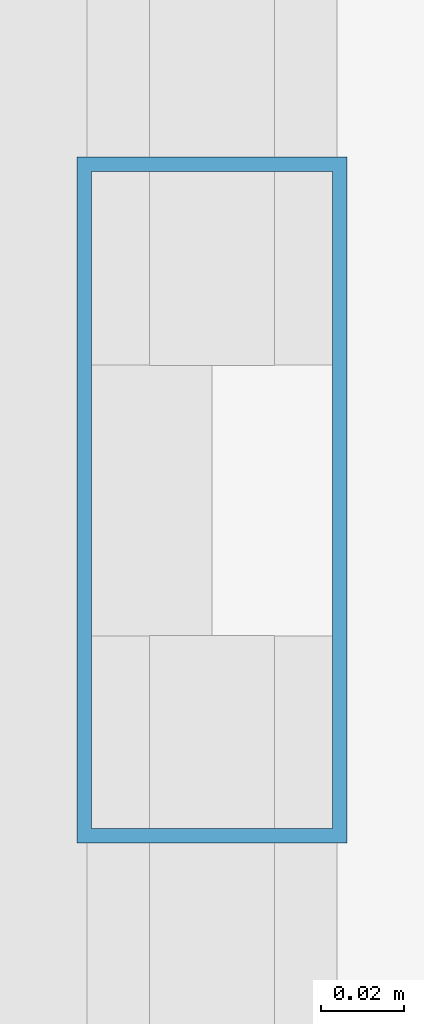
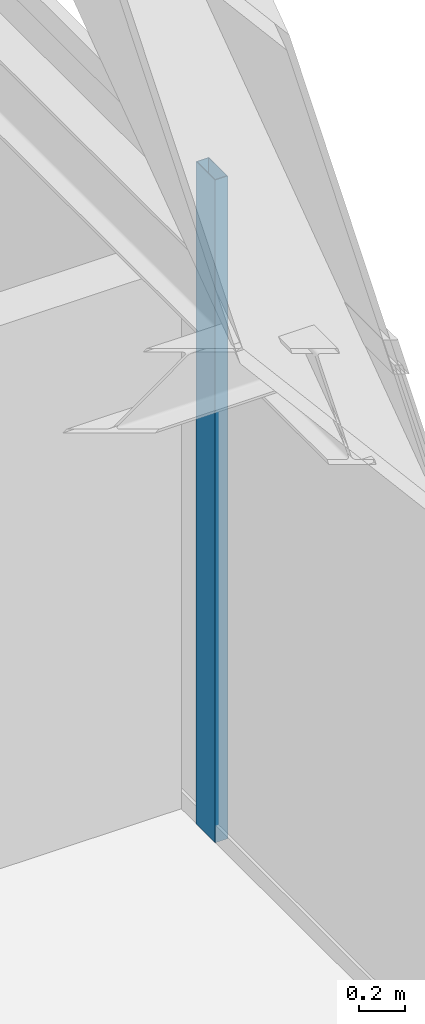
# One storey, part 17 of 33: 1 member, 1 element without a shape of its own.
"""IFC4 building model written with IfcOpenShell, lengths in metres."""

from ifc_helpers import new_model, si_unit, direction, frame, origin, origin_2d, place, context, subcontext, project, spatial, hollow_rectangle, extrude, source, transform, mapped, material, layer, layer_set, material_profile, profile_set, type_object, type_shapes, element, aggregate, save


model = new_model("IFC4")

# Units and contexts
model_context = context("Model", 3, precision=1e-05, world=origin(), true_north=direction((0.0, 1.0)))
body_context = subcontext(model_context, "Body", "Model", "MODEL_VIEW")
ifc_project = project(units=[si_unit("LENGTHUNIT", "METRE"), si_unit("AREAUNIT", "SQUARE_METRE"), si_unit("VOLUMEUNIT", "CUBIC_METRE"), si_unit("PLANEANGLEUNIT", "RADIAN"), si_unit("MASSUNIT", "GRAM", prefix="KILO")], contexts=[model_context])

# Site, building, storey
site_placement = place(None, origin())
site = spatial("IfcSite", under=ifc_project, at=site_placement, CompositionType="ELEMENT")
building_placement = place(site_placement, origin())
building = spatial("IfcBuilding", under=site, at=building_placement, Name="Varnel Quay Broadcast Tower", CompositionType="ELEMENT")
storey_placement = place(building_placement, frame((0.0, 0.0, 145.800048828125)))
storey = spatial("IfcBuildingStorey", under=building, at=storey_placement, Name="L35", CompositionType="ELEMENT", Elevation=145.800048828125)

# Curtain wall, member
ifc_material = material(Name="Anodised Bronze Aluminium 6063-T6", Category="aluminium")
ifc_layer = layer(ifc_material, 0.18994140625, Name="Anodised Bronze Aluminium 6063-T6")
ifc_layer_set = layer_set([ifc_layer], Name="Anodised Bronze Aluminium 6063-T6")
curtain_wall_type = type_object("IfcCurtainWallType", Name="CW_UpperTower", PredefinedType="NOTDEFINED", material=ifc_layer_set)
curtain_wall_placement = place(storey_placement, origin())
curtain_wall = element("IfcCurtainWall", 1, at=curtain_wall_placement, inside=storey, type_object=curtain_wall_type, Name="L35 East Unitised Curtain Wall", PredefinedType="NOTDEFINED")
ifc_material_profile = material_profile(ifc_material, hollow_rectangle(XDim=0.06494140625, YDim=0.1650390625, WallThickness=0.00341796875, at=origin_2d()), Name="ALU65X165X3.5")
ifc_profile_set = profile_set([ifc_material_profile], Name="Anodised Bronze Aluminium 6063-T6")
member_type = type_object("IfcMemberType", Name="Mull_CWS-03", PredefinedType="MULLION", material=ifc_profile_set)
shared_shape = source(origin(), body_context, "Body", "SweptSolid", [
    extrude(hollow_rectangle(XDim=0.06494140625, YDim=0.1650390625, WallThickness=0.00341796875, at=origin_2d()), origin(), (0.0, 0.0, 1.0), 3.550048828125),
])
type_shapes(member_type, [shared_shape])
member_placement = place(storey_placement, frame((60.85009765625, 21.60009765625, 0.0), z_axis=(0.0, 0.0, 1.0), x_axis=(-1.0, 0.0, 0.0)))
member = element("IfcMember", 2, at=member_placement, type_object=member_type, Name="CWS-03 mullion 2", PredefinedType="MULLION", context=body_context, shape_type="MappedRepresentation", body=[
    mapped(shared_shape, transform((0.0, 0.0, 0.0), x_axis=(1.0, 0.0, 0.0), y_axis=(0.0, 1.0, 0.0), z_axis=(0.0, 0.0, 1.0), scale=1.0)),
])
aggregate(curtain_wall, [member])

save(model, "model.ifc")
